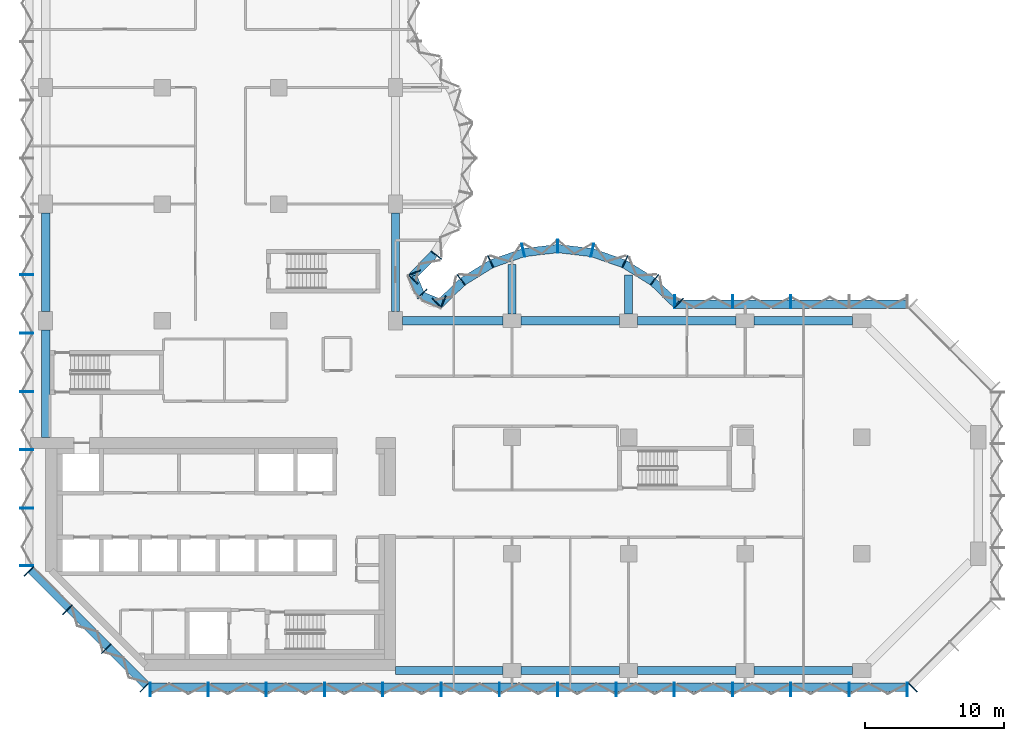
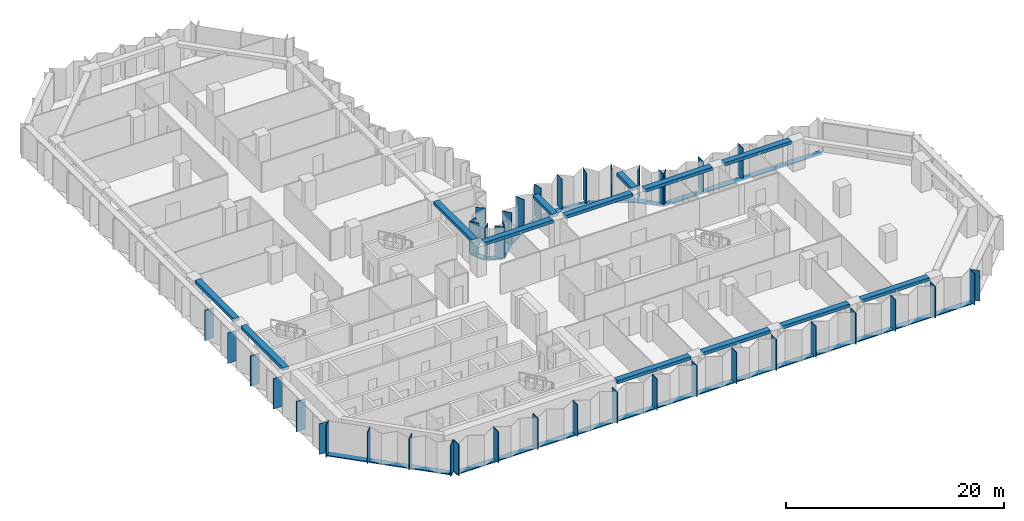
# One storey, part 2 of 13: 56 members, 13 beams, 8 elements without a shape of their own.
"""IFC4 building model written with IfcOpenShell, lengths in metres."""

from ifc_helpers import new_model, si_unit, direction, frame, origin, origin_2d, place, context, subcontext, project, spatial, rectangle, extrude, material, material_profile, profile_set, type_object, element, aggregate, save


model = new_model("IFC4")

# Units and contexts
model_context = context("Model", 3, precision=1e-05, world=origin(), true_north=direction((0.0, 1.0)))
body_context = subcontext(model_context, "Body", "Model", "MODEL_VIEW")
ifc_project = project(units=[si_unit("LENGTHUNIT", "METRE"), si_unit("AREAUNIT", "SQUARE_METRE"), si_unit("VOLUMEUNIT", "CUBIC_METRE"), si_unit("PLANEANGLEUNIT", "RADIAN"), si_unit("MASSUNIT", "GRAM", prefix="KILO")], contexts=[model_context])

# Site, building, storey
site_placement = place(None, origin())
site = spatial("IfcSite", under=ifc_project, at=site_placement, CompositionType="ELEMENT")
building_placement = place(site_placement, origin())
building = spatial("IfcBuilding", under=site, at=building_placement, Name="Brevane Broadcast Tower", CompositionType="ELEMENT")
storey_placement = place(building_placement, frame((0.0, 0.0, 131.300048828125)))
storey = spatial("IfcBuildingStorey", under=building, at=storey_placement, Name="L32", CompositionType="ELEMENT", Elevation=131.300048828125)

# Curtain wall, members
ifc_material_1 = material(Name="Aluminium 6063-T6 bronze anodised", Category="aluminium")
curtain_wall_type = type_object("IfcCurtainWallType", Name="CW-1 curtain wall", PredefinedType="NOTDEFINED", material=ifc_material_1)
curtain_wall_1_placement = place(storey_placement, origin())
curtain_wall_1 = element("IfcCurtainWall", 1, at=curtain_wall_1_placement, inside=storey, type_object=curtain_wall_type, Name="CW-1 typical tilted unit L32 south face", PredefinedType="NOTDEFINED")
ifc_material_profile_1 = material_profile(ifc_material_1, rectangle(XDim=0.949951171875, YDim=0.070068359375, at=origin_2d()), Name="RECT 70x950")
ifc_profile_set_1 = profile_set([ifc_material_profile_1], Name="Aluminium 6063-T6 bronze anodised")
member_type_1 = type_object("IfcMemberType", Name="CW-1 mullion 70x950", PredefinedType="MULLION", material=ifc_profile_set_1)
member_1_placement = place(storey_placement, frame((7.534912109375, -1.375, -0.150146484375), z_axis=(0.0, 0.0, 1.0), x_axis=(0.0, 1.0, 0.0)))
member_1 = element("IfcMember", 2, at=member_1_placement, type_object=member_type_1, Name="CW-1 mullion", PredefinedType="MULLION", context=body_context, shape_type="SweptSolid", body=[
    extrude(rectangle(XDim=0.949951171875, YDim=0.070068359375, at=origin_2d()), origin(), (0.0, 0.0, 1.0), 3.5),
])
member_2_placement = place(storey_placement, frame((11.699951171875, -1.375, -0.150146484375), z_axis=(0.0, 0.0, 1.0), x_axis=(0.0, 1.0, 0.0)))
member_2 = element("IfcMember", 3, at=member_2_placement, type_object=member_type_1, Name="CW-1 mullion", PredefinedType="MULLION", context=body_context, shape_type="SweptSolid", body=[
    extrude(rectangle(XDim=0.949951171875, YDim=0.070068359375, at=origin_2d()), origin(), (0.0, 0.0, 1.0), 3.5),
])
member_3_placement = place(storey_placement, frame((15.89990234375, -1.375, -0.150146484375), z_axis=(0.0, 0.0, 1.0), x_axis=(0.0, 1.0, 0.0)))
member_3 = element("IfcMember", 4, at=member_3_placement, type_object=member_type_1, Name="CW-1 mullion", PredefinedType="MULLION", context=body_context, shape_type="SweptSolid", body=[
    extrude(rectangle(XDim=0.949951171875, YDim=0.070068359375, at=origin_2d()), origin(), (0.0, 0.0, 1.0), 3.5),
])
member_4_placement = place(storey_placement, frame((20.10009765625, -1.375, -0.150146484375), z_axis=(0.0, 0.0, 1.0), x_axis=(0.0, 1.0, 0.0)))
member_4 = element("IfcMember", 5, at=member_4_placement, type_object=member_type_1, Name="CW-1 mullion", PredefinedType="MULLION", context=body_context, shape_type="SweptSolid", body=[
    extrude(rectangle(XDim=0.949951171875, YDim=0.070068359375, at=origin_2d()), origin(), (0.0, 0.0, 1.0), 3.5),
])
member_5_placement = place(storey_placement, frame((24.300048828125, -1.375, -0.150146484375), z_axis=(0.0, 0.0, 1.0), x_axis=(0.0, 1.0, 0.0)))
member_5 = element("IfcMember", 6, at=member_5_placement, type_object=member_type_1, Name="CW-1 mullion", PredefinedType="MULLION", context=body_context, shape_type="SweptSolid", body=[
    extrude(rectangle(XDim=0.949951171875, YDim=0.070068359375, at=origin_2d()), origin(), (0.0, 0.0, 1.0), 3.5),
])
member_6_placement = place(storey_placement, frame((28.5, -1.375, -0.150146484375), z_axis=(0.0, 0.0, 1.0), x_axis=(0.0, 1.0, 0.0)))
member_6 = element("IfcMember", 7, at=member_6_placement, type_object=member_type_1, Name="CW-1 mullion", PredefinedType="MULLION", context=body_context, shape_type="SweptSolid", body=[
    extrude(rectangle(XDim=0.949951171875, YDim=0.070068359375, at=origin_2d()), origin(), (0.0, 0.0, 1.0), 3.5),
])
member_7_placement = place(storey_placement, frame((32.699951171875, -1.375, -0.150146484375), z_axis=(0.0, 0.0, 1.0), x_axis=(0.0, 1.0, 0.0)))
member_7 = element("IfcMember", 8, at=member_7_placement, type_object=member_type_1, Name="CW-1 mullion", PredefinedType="MULLION", context=body_context, shape_type="SweptSolid", body=[
    extrude(rectangle(XDim=0.949951171875, YDim=0.070068359375, at=origin_2d()), origin(), (0.0, 0.0, 1.0), 3.5),
])
member_8_placement = place(storey_placement, frame((36.89990234375, -1.375, -0.150146484375), z_axis=(0.0, 0.0, 1.0), x_axis=(0.0, 1.0, 0.0)))
member_8 = element("IfcMember", 9, at=member_8_placement, type_object=member_type_1, Name="CW-1 mullion", PredefinedType="MULLION", context=body_context, shape_type="SweptSolid", body=[
    extrude(rectangle(XDim=0.949951171875, YDim=0.070068359375, at=origin_2d()), origin(), (0.0, 0.0, 1.0), 3.5),
])
member_9_placement = place(storey_placement, frame((41.10009765625, -1.375, -0.150146484375), z_axis=(0.0, 0.0, 1.0), x_axis=(0.0, 1.0, 0.0)))
member_9 = element("IfcMember", 10, at=member_9_placement, type_object=member_type_1, Name="CW-1 mullion", PredefinedType="MULLION", context=body_context, shape_type="SweptSolid", body=[
    extrude(rectangle(XDim=0.949951171875, YDim=0.070068359375, at=origin_2d()), origin(), (0.0, 0.0, 1.0), 3.5),
])
member_10_placement = place(storey_placement, frame((45.300048828125, -1.375, -0.150146484375), z_axis=(0.0, 0.0, 1.0), x_axis=(0.0, 1.0, 0.0)))
member_10 = element("IfcMember", 11, at=member_10_placement, type_object=member_type_1, Name="CW-1 mullion", PredefinedType="MULLION", context=body_context, shape_type="SweptSolid", body=[
    extrude(rectangle(XDim=0.949951171875, YDim=0.070068359375, at=origin_2d()), origin(), (0.0, 0.0, 1.0), 3.5),
])
member_11_placement = place(storey_placement, frame((49.5, -1.375, -0.150146484375), z_axis=(0.0, 0.0, 1.0), x_axis=(0.0, 1.0, 0.0)))
member_11 = element("IfcMember", 12, at=member_11_placement, type_object=member_type_1, Name="CW-1 mullion", PredefinedType="MULLION", context=body_context, shape_type="SweptSolid", body=[
    extrude(rectangle(XDim=0.949951171875, YDim=0.070068359375, at=origin_2d()), origin(), (0.0, 0.0, 1.0), 3.5),
])
member_12_placement = place(storey_placement, frame((53.699951171875, -1.375, -0.150146484375), z_axis=(0.0, 0.0, 1.0), x_axis=(0.0, 1.0, 0.0)))
member_12 = element("IfcMember", 13, at=member_12_placement, type_object=member_type_1, Name="CW-1 mullion", PredefinedType="MULLION", context=body_context, shape_type="SweptSolid", body=[
    extrude(rectangle(XDim=0.949951171875, YDim=0.070068359375, at=origin_2d()), origin(), (0.0, 0.0, 1.0), 3.5),
])
member_13_placement = place(storey_placement, frame((57.89990234375, -1.375, -0.150146484375), z_axis=(0.0, 0.0, 1.0), x_axis=(0.0, 1.0, 0.0)))
member_13 = element("IfcMember", 14, at=member_13_placement, type_object=member_type_1, Name="CW-1 mullion", PredefinedType="MULLION", context=body_context, shape_type="SweptSolid", body=[
    extrude(rectangle(XDim=0.949951171875, YDim=0.070068359375, at=origin_2d()), origin(), (0.0, 0.0, 1.0), 3.5),
])
member_14_placement = place(storey_placement, frame((62.06494140625, -1.375, -0.150146484375), z_axis=(0.0, 0.0, 1.0), x_axis=(0.0, 1.0, 0.0)))
member_14 = element("IfcMember", 15, at=member_14_placement, type_object=member_type_1, Name="CW-1 mullion", PredefinedType="MULLION", context=body_context, shape_type="SweptSolid", body=[
    extrude(rectangle(XDim=0.949951171875, YDim=0.070068359375, at=origin_2d()), origin(), (0.0, 0.0, 1.0), 3.5),
])

# Curtain wall, member
curtain_wall_2_placement = place(storey_placement, origin())
curtain_wall_2 = element("IfcCurtainWall", 16, at=curtain_wall_2_placement, inside=storey, type_object=curtain_wall_type, Name="CW-1 typical tilted unit L32 south-east chamfer", PredefinedType="NOTDEFINED")
member_15_placement = place(storey_placement, frame((62.460693359375, -1.211181640625, -0.150146484375), z_axis=(0.0, 0.0, 1.0), x_axis=(-0.707106781187, 0.707106781187, 0.0)))
member_15 = element("IfcMember", 17, at=member_15_placement, type_object=member_type_1, Name="CW-1 mullion", PredefinedType="MULLION", context=body_context, shape_type="SweptSolid", body=[
    extrude(rectangle(XDim=0.949951171875, YDim=0.070068359375, at=origin_2d()), origin(), (0.0, 0.0, 1.0), 3.400146484375),
])
aggregate(curtain_wall_2, [member_15])

# Curtain wall, members
curtain_wall_3_placement = place(storey_placement, origin())
curtain_wall_3 = element("IfcCurtainWall", 18, at=curtain_wall_3_placement, inside=storey, type_object=curtain_wall_type, Name="CW-1 typical tilted unit L32 east arm north face", PredefinedType="NOTDEFINED")
member_16_placement = place(storey_placement, frame((53.699951171875, 26.574951171875, -0.150146484375), z_axis=(0.0, 0.0, 1.0), x_axis=(0.0, -1.0, 0.0)))
member_16 = element("IfcMember", 19, at=member_16_placement, type_object=member_type_1, Name="CW-1 mullion", PredefinedType="MULLION", context=body_context, shape_type="SweptSolid", body=[
    extrude(rectangle(XDim=0.949951171875, YDim=0.070068359375, at=origin_2d()), origin(), (0.0, 0.0, 1.0), 3.5),
])
member_17_placement = place(storey_placement, frame((49.5, 26.574951171875, -0.150146484375), z_axis=(0.0, 0.0, 1.0), x_axis=(0.0, -1.0, 0.0)))
member_17 = element("IfcMember", 20, at=member_17_placement, type_object=member_type_1, Name="CW-1 mullion", PredefinedType="MULLION", context=body_context, shape_type="SweptSolid", body=[
    extrude(rectangle(XDim=0.949951171875, YDim=0.070068359375, at=origin_2d()), origin(), (0.0, 0.0, 1.0), 3.5),
])
member_18_placement = place(storey_placement, frame((45.3349609375, 26.574951171875, -0.150146484375), z_axis=(0.0, 0.0, 1.0), x_axis=(0.0, -1.0, 0.0)))
member_18 = element("IfcMember", 21, at=member_18_placement, type_object=member_type_1, Name="CW-1 mullion", PredefinedType="MULLION", context=body_context, shape_type="SweptSolid", body=[
    extrude(rectangle(XDim=0.949951171875, YDim=0.070068359375, at=origin_2d()), origin(), (0.0, 0.0, 1.0), 3.5),
])

curtain_wall_4_placement = place(storey_placement, origin())
curtain_wall_4 = element("IfcCurtainWall", 22, at=curtain_wall_4_placement, inside=storey, type_object=curtain_wall_type, Name="CW-1 typical tilted unit L32 east bow", PredefinedType="NOTDEFINED")
member_19_placement = place(storey_placement, frame((45.60595703125, 26.465087890625, -0.150146484375), z_axis=(0.0, 0.0, 1.0), x_axis=(-0.696811941702, -0.717253872699, 0.0)))
member_19 = element("IfcMember", 23, at=member_19_placement, type_object=member_type_1, Name="CW-1 mullion", PredefinedType="MULLION", context=body_context, shape_type="SweptSolid", body=[
    extrude(rectangle(XDim=0.949951171875, YDim=0.070068359375, at=origin_2d()), origin(), (0.0, 0.0, 1.0), 3.5),
])
member_20_placement = place(storey_placement, frame((43.8720703125, 28.1455078125, -0.150146484375), z_axis=(0.0, 0.0, 1.0), x_axis=(-0.614769738617, -0.788706642853, 0.0)))
member_20 = element("IfcMember", 24, at=member_20_placement, type_object=member_type_1, Name="CW-1 mullion", PredefinedType="MULLION", context=body_context, shape_type="SweptSolid", body=[
    extrude(rectangle(XDim=0.949951171875, YDim=0.070068359375, at=origin_2d()), origin(), (0.0, 0.0, 1.0), 3.5),
])
member_21_placement = place(storey_placement, frame((41.746826171875, 29.4580078125, -0.150146484375), z_axis=(0.0, 0.0, 1.0), x_axis=(-0.429933601163, -0.902860508933, 0.0)))
member_21 = element("IfcMember", 25, at=member_21_placement, type_object=member_type_1, Name="CW-1 mullion", PredefinedType="MULLION", context=body_context, shape_type="SweptSolid", body=[
    extrude(rectangle(XDim=0.949951171875, YDim=0.070068359375, at=origin_2d()), origin(), (0.0, 0.0, 1.0), 3.5),
])
member_22_placement = place(storey_placement, frame((39.38818359375, 30.28076171875, -0.150146484375), z_axis=(0.0, 0.0, 1.0), x_axis=(-0.224806482215, -0.974403430594, 0.0)))
member_22 = element("IfcMember", 26, at=member_22_placement, type_object=member_type_1, Name="CW-1 mullion", PredefinedType="MULLION", context=body_context, shape_type="SweptSolid", body=[
    extrude(rectangle(XDim=0.949951171875, YDim=0.070068359375, at=origin_2d()), origin(), (0.0, 0.0, 1.0), 3.5),
])
member_23_placement = place(storey_placement, frame((36.89990234375, 30.574951171875, -0.150146484375), z_axis=(0.0, 0.0, 1.0), x_axis=(0.0, -1.0, 0.0)))
member_23 = element("IfcMember", 27, at=member_23_placement, type_object=member_type_1, Name="CW-1 mullion", PredefinedType="MULLION", context=body_context, shape_type="SweptSolid", body=[
    extrude(rectangle(XDim=0.949951171875, YDim=0.070068359375, at=origin_2d()), origin(), (0.0, 0.0, 1.0), 3.5),
])
member_24_placement = place(storey_placement, frame((34.411865234375, 30.28076171875, -0.150146484375), z_axis=(0.0, 0.0, 1.0), x_axis=(0.224806482215, -0.974403430594, 0.0)))
member_24 = element("IfcMember", 28, at=member_24_placement, type_object=member_type_1, Name="CW-1 mullion", PredefinedType="MULLION", context=body_context, shape_type="SweptSolid", body=[
    extrude(rectangle(XDim=0.949951171875, YDim=0.070068359375, at=origin_2d()), origin(), (0.0, 0.0, 1.0), 3.5),
])
member_25_placement = place(storey_placement, frame((32.05322265625, 29.4580078125, -0.150146484375), z_axis=(0.0, 0.0, 1.0), x_axis=(0.429933601163, -0.902860508933, 0.0)))
member_25 = element("IfcMember", 29, at=member_25_placement, type_object=member_type_1, Name="CW-1 mullion", PredefinedType="MULLION", context=body_context, shape_type="SweptSolid", body=[
    extrude(rectangle(XDim=0.949951171875, YDim=0.070068359375, at=origin_2d()), origin(), (0.0, 0.0, 1.0), 3.5),
])
member_26_placement = place(storey_placement, frame((29.927978515625, 28.1455078125, -0.150146484375), z_axis=(0.0, 0.0, 1.0), x_axis=(0.614769738617, -0.788706642853, 0.0)))
member_26 = element("IfcMember", 30, at=member_26_placement, type_object=member_type_1, Name="CW-1 mullion", PredefinedType="MULLION", context=body_context, shape_type="SweptSolid", body=[
    extrude(rectangle(XDim=0.949951171875, YDim=0.070068359375, at=origin_2d()), origin(), (0.0, 0.0, 1.0), 3.5),
])
member_27_placement = place(storey_placement, frame((28.194091796875, 26.465087890625, -0.150146484375), z_axis=(0.0, 0.0, 1.0), x_axis=(0.696811941702, -0.717253872699, 0.0)))
member_27 = element("IfcMember", 31, at=member_27_placement, type_object=member_type_1, Name="CW-1 mullion", PredefinedType="MULLION", context=body_context, shape_type="SweptSolid", body=[
    extrude(rectangle(XDim=0.949951171875, YDim=0.070068359375, at=origin_2d()), origin(), (0.0, 0.0, 1.0), 3.5),
])

curtain_wall_5_placement = place(storey_placement, origin())
curtain_wall_5 = element("IfcCurtainWall", 32, at=curtain_wall_5_placement, inside=storey, type_object=curtain_wall_type, Name="CW-1 typical tilted unit L32 inner corner", PredefinedType="NOTDEFINED")
member_28_placement = place(storey_placement, frame((28.6494140625, 26.55224609375, -0.150146484375), z_axis=(0.0, 0.0, 1.0), x_axis=(-0.382683612978, -0.923879457699, 0.0)))
member_28 = element("IfcMember", 33, at=member_28_placement, type_object=member_type_1, Name="CW-1 mullion", PredefinedType="MULLION", context=body_context, shape_type="SweptSolid", body=[
    extrude(rectangle(XDim=0.949951171875, YDim=0.070068359375, at=origin_2d()), origin(), (0.0, 0.0, 1.0), 3.5),
])
member_29_placement = place(storey_placement, frame((27.138916015625, 27.138916015625, -0.150146484375), z_axis=(0.0, 0.0, 1.0), x_axis=(-0.707106781187, -0.707106781187, 0.0)))
member_29 = element("IfcMember", 34, at=member_29_placement, type_object=member_type_1, Name="CW-1 mullion", PredefinedType="MULLION", context=body_context, shape_type="SweptSolid", body=[
    extrude(rectangle(XDim=0.949951171875, YDim=0.070068359375, at=origin_2d()), origin(), (0.0, 0.0, 1.0), 3.5),
])
member_30_placement = place(storey_placement, frame((26.55224609375, 28.6494140625, -0.150146484375), z_axis=(0.0, 0.0, 1.0), x_axis=(-0.923879457699, -0.382683612978, 0.0)))
member_30 = element("IfcMember", 35, at=member_30_placement, type_object=member_type_1, Name="CW-1 mullion", PredefinedType="MULLION", context=body_context, shape_type="SweptSolid", body=[
    extrude(rectangle(XDim=0.949951171875, YDim=0.070068359375, at=origin_2d()), origin(), (0.0, 0.0, 1.0), 3.5),
])

curtain_wall_6_placement = place(storey_placement, origin())
curtain_wall_6 = element("IfcCurtainWall", 36, at=curtain_wall_6_placement, inside=storey, type_object=curtain_wall_type, Name="CW-1 typical tilted unit L32 north bow", PredefinedType="NOTDEFINED")
member_31_placement = place(storey_placement, frame((26.465087890625, 28.194091796875, -0.150146484375), z_axis=(0.0, 0.0, 1.0), x_axis=(-0.717253872699, 0.696811941702, 0.0)))
member_31 = element("IfcMember", 37, at=member_31_placement, type_object=member_type_1, Name="CW-1 mullion", PredefinedType="MULLION", context=body_context, shape_type="SweptSolid", body=[
    extrude(rectangle(XDim=0.949951171875, YDim=0.070068359375, at=origin_2d()), origin(), (0.0, 0.0, 1.0), 3.5),
])
member_32_placement = place(storey_placement, frame((28.1455078125, 29.927978515625, -0.150146484375), z_axis=(0.0, 0.0, 1.0), x_axis=(-0.788706642853, 0.614769738617, 0.0)))
member_32 = element("IfcMember", 38, at=member_32_placement, type_object=member_type_1, Name="CW-1 mullion", PredefinedType="MULLION", context=body_context, shape_type="SweptSolid", body=[
    extrude(rectangle(XDim=0.949951171875, YDim=0.070068359375, at=origin_2d()), origin(), (0.0, 0.0, 1.0), 3.5),
])

curtain_wall_7_placement = place(storey_placement, origin())
curtain_wall_7 = element("IfcCurtainWall", 39, at=curtain_wall_7_placement, inside=storey, type_object=curtain_wall_type, Name="CW-1 typical tilted unit L32 west face", PredefinedType="NOTDEFINED")
member_33_placement = place(storey_placement, frame((-1.375, 28.5, -0.150146484375), z_axis=(0.0, 0.0, 1.0), x_axis=(1.0, 0.0, 0.0)))
member_33 = element("IfcMember", 40, at=member_33_placement, type_object=member_type_1, Name="CW-1 mullion", PredefinedType="MULLION", context=body_context, shape_type="SweptSolid", body=[
    extrude(rectangle(XDim=0.949951171875, YDim=0.070068359375, at=origin_2d()), origin(), (0.0, 0.0, 1.0), 3.400146484375),
])
member_34_placement = place(storey_placement, frame((-1.375, 24.300048828125, -0.150146484375), z_axis=(0.0, 0.0, 1.0), x_axis=(1.0, 0.0, 0.0)))
member_34 = element("IfcMember", 41, at=member_34_placement, type_object=member_type_1, Name="CW-1 mullion", PredefinedType="MULLION", context=body_context, shape_type="SweptSolid", body=[
    extrude(rectangle(XDim=0.949951171875, YDim=0.070068359375, at=origin_2d()), origin(), (0.0, 0.0, 1.0), 3.400146484375),
])
member_35_placement = place(storey_placement, frame((-1.375, 20.10009765625, -0.150146484375), z_axis=(0.0, 0.0, 1.0), x_axis=(1.0, 0.0, 0.0)))
member_35 = element("IfcMember", 42, at=member_35_placement, type_object=member_type_1, Name="CW-1 mullion", PredefinedType="MULLION", context=body_context, shape_type="SweptSolid", body=[
    extrude(rectangle(XDim=0.949951171875, YDim=0.070068359375, at=origin_2d()), origin(), (0.0, 0.0, 1.0), 3.400146484375),
])
member_36_placement = place(storey_placement, frame((-1.375, 15.89990234375, -0.150146484375), z_axis=(0.0, 0.0, 1.0), x_axis=(1.0, 0.0, 0.0)))
member_36 = element("IfcMember", 43, at=member_36_placement, type_object=member_type_1, Name="CW-1 mullion", PredefinedType="MULLION", context=body_context, shape_type="SweptSolid", body=[
    extrude(rectangle(XDim=0.949951171875, YDim=0.070068359375, at=origin_2d()), origin(), (0.0, 0.0, 1.0), 3.400146484375),
])
member_37_placement = place(storey_placement, frame((-1.375, 11.699951171875, -0.150146484375), z_axis=(0.0, 0.0, 1.0), x_axis=(1.0, 0.0, 0.0)))
member_37 = element("IfcMember", 44, at=member_37_placement, type_object=member_type_1, Name="CW-1 mullion", PredefinedType="MULLION", context=body_context, shape_type="SweptSolid", body=[
    extrude(rectangle(XDim=0.949951171875, YDim=0.070068359375, at=origin_2d()), origin(), (0.0, 0.0, 1.0), 3.400146484375),
])
member_38_placement = place(storey_placement, frame((-1.375, 7.534912109375, -0.150146484375), z_axis=(0.0, 0.0, 1.0), x_axis=(1.0, 0.0, 0.0)))
member_38 = element("IfcMember", 45, at=member_38_placement, type_object=member_type_1, Name="CW-1 mullion", PredefinedType="MULLION", context=body_context, shape_type="SweptSolid", body=[
    extrude(rectangle(XDim=0.949951171875, YDim=0.070068359375, at=origin_2d()), origin(), (0.0, 0.0, 1.0), 3.400146484375),
])
aggregate(curtain_wall_7, [member_33, member_34, member_35, member_36, member_37, member_38])

curtain_wall_8_placement = place(storey_placement, origin())
curtain_wall_8 = element("IfcCurtainWall", 46, at=curtain_wall_8_placement, inside=storey, type_object=curtain_wall_type, Name="CW-1 typical tilted unit L32 south-west chamfer", PredefinedType="NOTDEFINED")
member_39_placement = place(storey_placement, frame((-1.211181640625, 7.139404296875, -0.150146484375), z_axis=(0.0, 0.0, 1.0), x_axis=(0.707106781187, 0.707106781187, 0.0)))
member_39 = element("IfcMember", 47, at=member_39_placement, type_object=member_type_1, Name="CW-1 mullion", PredefinedType="MULLION", context=body_context, shape_type="SweptSolid", body=[
    extrude(rectangle(XDim=0.949951171875, YDim=0.070068359375, at=origin_2d()), origin(), (0.0, 0.0, 1.0), 3.5),
])
member_40_placement = place(storey_placement, frame((1.564208984375, 4.364013671875, -0.150146484375), z_axis=(0.0, 0.0, 1.0), x_axis=(0.707106781187, 0.707106781187, 0.0)))
member_40 = element("IfcMember", 48, at=member_40_placement, type_object=member_type_1, Name="CW-1 mullion", PredefinedType="MULLION", context=body_context, shape_type="SweptSolid", body=[
    extrude(rectangle(XDim=0.949951171875, YDim=0.070068359375, at=origin_2d()), origin(), (0.0, 0.0, 1.0), 3.5),
])
member_41_placement = place(storey_placement, frame((4.364013671875, 1.564208984375, -0.150146484375), z_axis=(0.0, 0.0, 1.0), x_axis=(0.707106781187, 0.707106781187, 0.0)))
member_41 = element("IfcMember", 49, at=member_41_placement, type_object=member_type_1, Name="CW-1 mullion", PredefinedType="MULLION", context=body_context, shape_type="SweptSolid", body=[
    extrude(rectangle(XDim=0.949951171875, YDim=0.070068359375, at=origin_2d()), origin(), (0.0, 0.0, 1.0), 3.5),
])
member_42_placement = place(storey_placement, frame((7.139404296875, -1.211181640625, -0.150146484375), z_axis=(0.0, 0.0, 1.0), x_axis=(0.707106781187, 0.707106781187, 0.0)))
member_42 = element("IfcMember", 50, at=member_42_placement, type_object=member_type_1, Name="CW-1 mullion", PredefinedType="MULLION", context=body_context, shape_type="SweptSolid", body=[
    extrude(rectangle(XDim=0.949951171875, YDim=0.070068359375, at=origin_2d()), origin(), (0.0, 0.0, 1.0), 3.5),
])

# Member
ifc_material_profile_2 = material_profile(ifc_material_1, rectangle(XDim=0.60009765625, YDim=0.10009765625, at=origin_2d()), Name="RECT 100x600")
ifc_profile_set_2 = profile_set([ifc_material_profile_2], Name="Aluminium 6063-T6 bronze anodised")
member_type_2 = type_object("IfcMemberType", Name="CW-1 transom 100x600", PredefinedType="USERDEFINED", material=ifc_profile_set_2)
member_43_placement = place(storey_placement, frame((7.5, -1.199951171875, -0.199951171875), z_axis=(1.0, 0.0, 0.0), x_axis=(0.0, 1.0, 0.0)))
member_43 = element("IfcMember", 51, at=member_43_placement, type_object=member_type_2, Name="CW-1 transom", ObjectType="TRANSOM", PredefinedType="USERDEFINED", context=body_context, shape_type="SweptSolid", body=[
    extrude(rectangle(XDim=0.60009765625, YDim=0.10009765625, at=origin_2d()), origin(), (0.0, 0.0, 1.0), 54.60009765625),
])

aggregate(curtain_wall_1, [member_1, member_2, member_3, member_4, member_5, member_6, member_7, member_8, member_9, member_10, member_11, member_12, member_13, member_14, member_43])

member_44_placement = place(storey_placement, frame((62.10009765625, 26.39990234375, -0.199951171875), z_axis=(-1.0, 0.0, 0.0), x_axis=(0.0, -1.0, 0.0)))
member_44 = element("IfcMember", 52, at=member_44_placement, type_object=member_type_2, Name="CW-1 transom", ObjectType="TRANSOM", PredefinedType="USERDEFINED", context=body_context, shape_type="SweptSolid", body=[
    extrude(rectangle(XDim=0.60009765625, YDim=0.10009765625, at=origin_2d()), origin(), (0.0, 0.0, 1.0), 16.800048828125),
])

aggregate(curtain_wall_3, [member_16, member_17, member_18, member_44])

member_45_placement = place(storey_placement, frame((45.412841796875, 26.407958984375, -0.199951171875), z_axis=(-0.71724215871, 0.696823999134, 0.0), x_axis=(-0.696823999134, -0.71724215871, 0.0)))
member_45 = element("IfcMember", 53, at=member_45_placement, type_object=member_type_2, Name="CW-1 transom", ObjectType="TRANSOM", PredefinedType="USERDEFINED", context=body_context, shape_type="SweptSolid", body=[
    extrude(rectangle(XDim=0.60009765625, YDim=0.10009765625, at=origin_2d()), origin(), (0.0, 0.0, 1.0), 2.247802734375),
])

member_46_placement = place(storey_placement, frame((43.7421875, 28.023193359375, -0.199951171875), z_axis=(-0.850810063131, 0.525473345162, 0.0), x_axis=(-0.525473345162, -0.850810063131, 0.0)))
member_46 = element("IfcMember", 54, at=member_46_placement, type_object=member_type_2, Name="CW-1 transom", ObjectType="TRANSOM", PredefinedType="USERDEFINED", context=body_context, shape_type="SweptSolid", body=[
    extrude(rectangle(XDim=0.60009765625, YDim=0.10009765625, at=origin_2d()), origin(), (0.0, 0.0, 1.0), 2.39453125),
])

member_47_placement = place(storey_placement, frame((41.63623046875, 29.314208984375, -0.199951171875), z_axis=(-0.944197969542, 0.329378497041, 0.0), x_axis=(-0.329378497041, -0.944197969542, 0.0)))
member_47 = element("IfcMember", 55, at=member_47_placement, type_object=member_type_2, Name="CW-1 transom", ObjectType="TRANSOM", PredefinedType="USERDEFINED", context=body_context, shape_type="SweptSolid", body=[
    extrude(rectangle(XDim=0.60009765625, YDim=0.10009765625, at=origin_2d()), origin(), (0.0, 0.0, 1.0), 2.394775390625),
])

member_48_placement = place(storey_placement, frame((39.30029296875, 30.117431640625, -0.199951171875), z_axis=(-0.993062061831, 0.117591417, 0.0), x_axis=(-0.117591417, -0.993062061831, 0.0)))
member_48 = element("IfcMember", 56, at=member_48_placement, type_object=member_type_2, Name="CW-1 transom", ObjectType="TRANSOM", PredefinedType="USERDEFINED", context=body_context, shape_type="SweptSolid", body=[
    extrude(rectangle(XDim=0.60009765625, YDim=0.10009765625, at=origin_2d()), origin(), (0.0, 0.0, 1.0), 2.39794921875),
])

member_49_placement = place(storey_placement, frame((36.880859375, 30.3994140625, -0.199951171875), z_axis=(-0.993060653805, -0.117603307202, 0.0), x_axis=(0.117603307202, -0.993060653805, 0.0)))
member_49 = element("IfcMember", 57, at=member_49_placement, type_object=member_type_2, Name="CW-1 transom", ObjectType="TRANSOM", PredefinedType="USERDEFINED", context=body_context, shape_type="SweptSolid", body=[
    extrude(rectangle(XDim=0.60009765625, YDim=0.10009765625, at=origin_2d()), origin(), (0.0, 0.0, 1.0), 2.397705078125),
])

member_50_placement = place(storey_placement, frame((34.425048828125, 30.10302734375, -0.199951171875), z_axis=(-0.944197969542, -0.329378497041, 0.0), x_axis=(0.329378497041, -0.944197969542, 0.0)))
member_50 = element("IfcMember", 58, at=member_50_placement, type_object=member_type_2, Name="CW-1 transom", ObjectType="TRANSOM", PredefinedType="USERDEFINED", context=body_context, shape_type="SweptSolid", body=[
    extrude(rectangle(XDim=0.60009765625, YDim=0.10009765625, at=origin_2d()), origin(), (0.0, 0.0, 1.0), 2.394775390625),
])

member_51_placement = place(storey_placement, frame((32.09521484375, 29.281494140625, -0.199951171875), z_axis=(-0.850838211365, -0.525427766759, 0.0), x_axis=(0.525427766759, -0.850838211365, 0.0)))
member_51 = element("IfcMember", 59, at=member_51_placement, type_object=member_type_2, Name="CW-1 transom", ObjectType="TRANSOM", PredefinedType="USERDEFINED", context=body_context, shape_type="SweptSolid", body=[
    extrude(rectangle(XDim=0.60009765625, YDim=0.10009765625, at=origin_2d()), origin(), (0.0, 0.0, 1.0), 2.394775390625),
])

member_52_placement = place(storey_placement, frame((29.99951171875, 27.974365234375, -0.199951171875), z_axis=(-0.71724215871, -0.696823999134, 0.0), x_axis=(0.696823999134, -0.71724215871, 0.0)))
member_52 = element("IfcMember", 60, at=member_52_placement, type_object=member_type_2, Name="CW-1 transom", ObjectType="TRANSOM", PredefinedType="USERDEFINED", context=body_context, shape_type="SweptSolid", body=[
    extrude(rectangle(XDim=0.60009765625, YDim=0.10009765625, at=origin_2d()), origin(), (0.0, 0.0, 1.0), 2.247802734375),
])

aggregate(curtain_wall_4, [member_19, member_20, member_21, member_22, member_23, member_24, member_25, member_26, member_27, member_45, member_46, member_47, member_48, member_49, member_50, member_51, member_52])

member_53_placement = place(storey_placement, frame((28.528076171875, 26.40673828125, -0.199951171875), z_axis=(-0.923883243627, 0.382674472816, 0.0), x_axis=(-0.382674472816, -0.923883243627, 0.0)))
member_53 = element("IfcMember", 61, at=member_53_placement, type_object=member_type_2, Name="CW-1 transom", ObjectType="TRANSOM", PredefinedType="USERDEFINED", context=body_context, shape_type="SweptSolid", body=[
    extrude(rectangle(XDim=0.60009765625, YDim=0.10009765625, at=origin_2d()), origin(), (0.0, 0.0, 1.0), 1.536865234375),
])

member_54_placement = place(storey_placement, frame((27.039794921875, 27.0, -0.199951171875), z_axis=(-0.382674472816, 0.923883243627, 0.0), x_axis=(-0.923883243627, -0.382674472816, 0.0)))
member_54 = element("IfcMember", 62, at=member_54_placement, type_object=member_type_2, Name="CW-1 transom", ObjectType="TRANSOM", PredefinedType="USERDEFINED", context=body_context, shape_type="SweptSolid", body=[
    extrude(rectangle(XDim=0.60009765625, YDim=0.10009765625, at=origin_2d()), origin(), (0.0, 0.0, 1.0), 1.536865234375),
])

aggregate(curtain_wall_5, [member_28, member_29, member_30, member_53, member_54])

member_55_placement = place(storey_placement, frame((26.407958984375, 28.38720703125, -0.199951171875), z_axis=(0.696823999134, 0.71724215871, 0.0), x_axis=(-0.71724215871, 0.696823999134, 0.0)))
member_55 = element("IfcMember", 63, at=member_55_placement, type_object=member_type_2, Name="CW-1 transom", ObjectType="TRANSOM", PredefinedType="USERDEFINED", context=body_context, shape_type="SweptSolid", body=[
    extrude(rectangle(XDim=0.60009765625, YDim=0.10009765625, at=origin_2d()), origin(), (0.0, 0.0, 1.0), 2.247802734375),
])

aggregate(curtain_wall_6, [member_31, member_32, member_55])

member_56_placement = place(storey_placement, frame((-1.112060546875, 7.287841796875, -0.199951171875), z_axis=(0.707106781187, -0.707106781187, 0.0), x_axis=(0.707106781187, 0.707106781187, 0.0)))
member_56 = element("IfcMember", 64, at=member_56_placement, type_object=member_type_2, Name="CW-1 transom", ObjectType="TRANSOM", PredefinedType="USERDEFINED", context=body_context, shape_type="SweptSolid", body=[
    extrude(rectangle(XDim=0.60009765625, YDim=0.10009765625, at=origin_2d()), origin(), (0.0, 0.0, 1.0), 11.879150390625),
])

aggregate(curtain_wall_8, [member_39, member_40, member_41, member_42, member_56])

# Beams
ifc_material_2 = material(Name="Concrete C40/50", Category="concrete")
ifc_material_profile_3 = material_profile(ifc_material_2, rectangle(XDim=0.60009765625, YDim=0.35009765625, at=origin_2d()), Name="RC 600x350")
ifc_profile_set_3 = profile_set([ifc_material_profile_3], Name="Concrete C40/50")
beam_type_1 = type_object("IfcBeamType", Name="RC BRACKET BEAM 600x350 C40/50", PredefinedType="BEAM", material=ifc_profile_set_3)
beam_1_placement = place(storey_placement, frame((33.60009765625, 25.699951171875, 3.175048828125), z_axis=(0.0, 1.0, 0.0), x_axis=(-1.0, 0.0, 0.0)))
element("IfcBeam", 65, at=beam_1_placement, inside=storey, type_object=beam_type_1, Name="EB2 L32-3", PredefinedType="BEAM", context=body_context, shape_type="SweptSolid", body=[
    extrude(rectangle(XDim=0.60009765625, YDim=0.35009765625, at=origin_2d()), origin(), (0.0, 0.0, 1.0), 3.56201171875),
])
beam_2_placement = place(storey_placement, frame((42.0, 25.699951171875, 3.175048828125), z_axis=(0.0, 1.0, 0.0), x_axis=(-1.0, 0.0, 0.0)))
element("IfcBeam", 66, at=beam_2_placement, inside=storey, type_object=beam_type_1, Name="EB2 L32-4", PredefinedType="BEAM", context=body_context, shape_type="SweptSolid", body=[
    extrude(rectangle(XDim=0.60009765625, YDim=0.35009765625, at=origin_2d()), origin(), (0.0, 0.0, 1.0), 2.8115234375),
])
ifc_material_profile_4 = material_profile(ifc_material_2, rectangle(XDim=0.60009765625, YDim=0.35009765625, at=origin_2d()), Name="RC 600x350")
ifc_profile_set_4 = profile_set([ifc_material_profile_4], Name="Concrete C40/50")
beam_type_2 = type_object("IfcBeamType", Name="RC SPANDREL BEAM 600x350 C40/50", PredefinedType="SPANDREL", material=ifc_profile_set_4)
beam_3_placement = place(storey_placement, frame((25.199951171875, 0.0, 3.175048828125), z_axis=(1.0, 0.0, 0.0), x_axis=(0.0, 1.0, 0.0)))
element("IfcBeam", 67, at=beam_3_placement, inside=storey, type_object=beam_type_2, Name="EB1 L32-1", PredefinedType="SPANDREL", context=body_context, shape_type="SweptSolid", body=[
    extrude(rectangle(XDim=0.60009765625, YDim=0.35009765625, at=origin_2d()), origin(), (0.0, 0.0, 1.0), 7.75),
])
for number, where, z_axis, x_axis, name in (
    (68, (34.25, 0.0, 3.175048828125), (1.0, 0.0, 0.0), (0.0, 1.0, 0.0), "EB1 L32-2"),
    (69, (42.64990234375, 0.0, 3.175048828125), (1.0, 0.0, 0.0), (0.0, 1.0, 0.0), "EB1 L32-3"),
):
    element("IfcBeam", number, at=place(storey_placement, frame(where, z_axis=z_axis, x_axis=x_axis)), inside=storey, type_object=beam_type_2, Name=name, PredefinedType="SPANDREL", context=body_context, shape_type="SweptSolid", body=[
        extrude(rectangle(XDim=0.60009765625, YDim=0.35009765625, at=origin_2d()), origin(), (0.0, 0.0, 1.0), 7.10009765625),
    ])
for number, where, z_axis, x_axis, name in (
    (70, (51.050048828125, 0.0, 3.175048828125), (1.0, 0.0, 0.0), (0.0, 1.0, 0.0), "EB1 L32-4"),
    (71, (58.14990234375, 25.199951171875, 3.175048828125), (-1.0, 0.0, 0.0), (0.0, -1.0, 0.0), "EB1 L32-8"),
):
    element("IfcBeam", number, at=place(storey_placement, frame(where, z_axis=z_axis, x_axis=x_axis)), inside=storey, type_object=beam_type_2, Name=name, PredefinedType="SPANDREL", context=body_context, shape_type="SweptSolid", body=[
        extrude(rectangle(XDim=0.60009765625, YDim=0.35009765625, at=origin_2d()), origin(), (0.0, 0.0, 1.0), 7.099853515625),
    ])
for number, where, z_axis, x_axis, name in (
    (72, (49.75, 25.199951171875, 3.175048828125), (-1.0, 0.0, 0.0), (0.0, -1.0, 0.0), "EB1 L32-9"),
    (73, (41.35009765625, 25.199951171875, 3.175048828125), (-1.0, 0.0, 0.0), (0.0, -1.0, 0.0), "EB1 L32-10"),
):
    element("IfcBeam", number, at=place(storey_placement, frame(where, z_axis=z_axis, x_axis=x_axis)), inside=storey, type_object=beam_type_2, Name=name, PredefinedType="SPANDREL", context=body_context, shape_type="SweptSolid", body=[
        extrude(rectangle(XDim=0.60009765625, YDim=0.35009765625, at=origin_2d()), origin(), (0.0, 0.0, 1.0), 7.10009765625),
    ])
beam_4_placement = place(storey_placement, frame((32.949951171875, 25.199951171875, 3.175048828125), z_axis=(-1.0, 0.0, 0.0), x_axis=(0.0, -1.0, 0.0)))
element("IfcBeam", 74, at=beam_4_placement, inside=storey, type_object=beam_type_2, Name="EB1 L32-11", PredefinedType="SPANDREL", context=body_context, shape_type="SweptSolid", body=[
    extrude(rectangle(XDim=0.60009765625, YDim=0.35009765625, at=origin_2d()), origin(), (0.0, 0.0, 1.0), 7.25),
])
for number, where, z_axis, x_axis, name in (
    (75, (25.199951171875, 25.85009765625, 3.175048828125), (0.0, 1.0, 0.0), (-1.0, 0.0, 0.0), "EB1 L32-12"),
    (76, (0.0, 32.949951171875, 3.175048828125), (0.0, -1.0, 0.0), (1.0, 0.0, 0.0), "EB1 L32-22"),
):
    element("IfcBeam", number, at=place(storey_placement, frame(where, z_axis=z_axis, x_axis=x_axis)), inside=storey, type_object=beam_type_2, Name=name, PredefinedType="SPANDREL", context=body_context, shape_type="SweptSolid", body=[
        extrude(rectangle(XDim=0.60009765625, YDim=0.35009765625, at=origin_2d()), origin(), (0.0, 0.0, 1.0), 7.099853515625),
    ])
beam_5_placement = place(storey_placement, frame((0.0, 24.550048828125, 3.175048828125), z_axis=(0.0, -1.0, 0.0), x_axis=(1.0, 0.0, 0.0)))
element("IfcBeam", 77, at=beam_5_placement, inside=storey, type_object=beam_type_2, Name="EB1 L32-23", PredefinedType="SPANDREL", context=body_context, shape_type="SweptSolid", body=[
    extrude(rectangle(XDim=0.60009765625, YDim=0.35009765625, at=origin_2d()), origin(), (0.0, 0.0, 1.0), 7.75),
])

save(model, "model.ifc")
